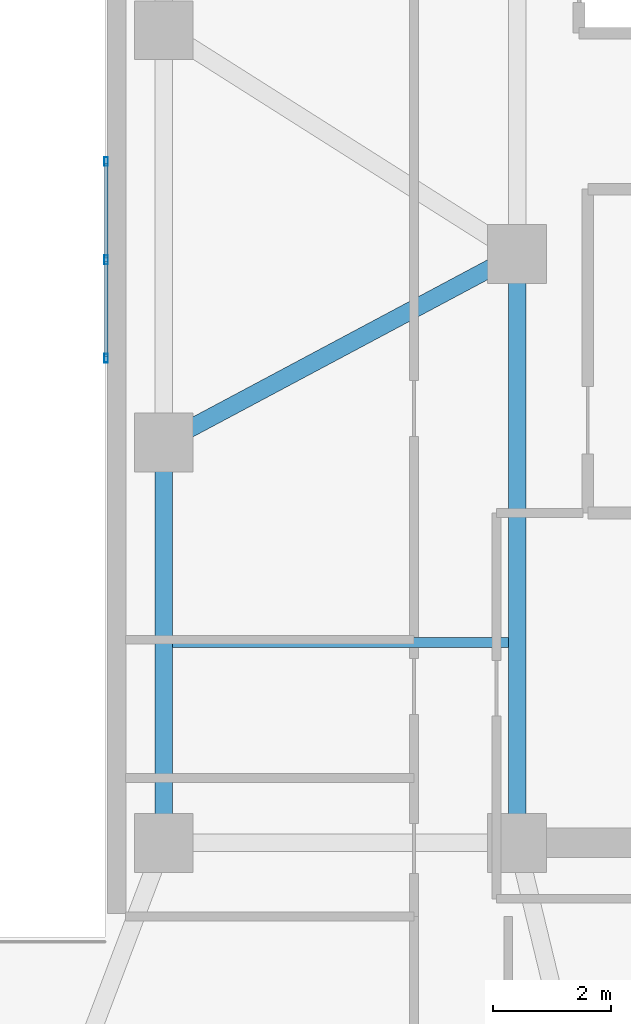
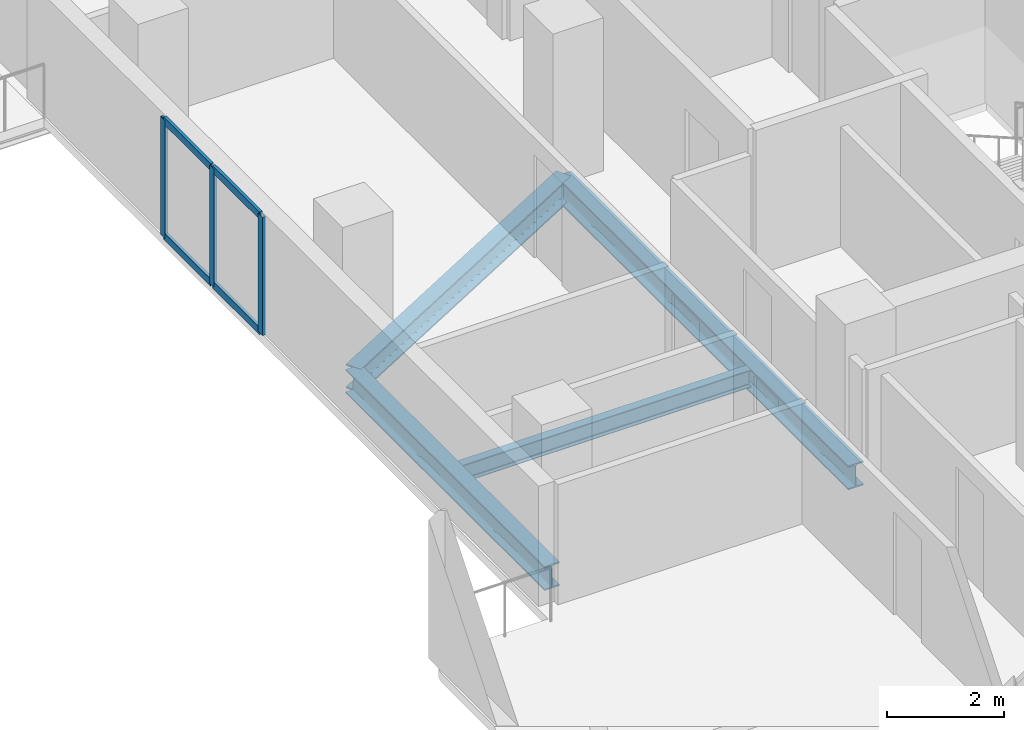
# One storey, part 8 of 17: 7 members, 4 beams, 1 element without a shape of its own.
"""IFC4 building model written with IfcOpenShell, lengths in metres."""

from ifc_helpers import new_model, si_unit, direction, frame, origin, origin_2d, place, context, subcontext, project, spatial, hollow_rectangle, i_section, extrude, material, material_profile, profile_set, type_object, element, aggregate, save


model = new_model("IFC4")

# Units and contexts
model_context = context("Model", 3, precision=1e-05, world=origin(), true_north=direction((0.0, 1.0)))
body_context = subcontext(model_context, "Body", "Model", "MODEL_VIEW")
ifc_project = project(units=[si_unit("LENGTHUNIT", "METRE"), si_unit("AREAUNIT", "SQUARE_METRE"), si_unit("VOLUMEUNIT", "CUBIC_METRE"), si_unit("PLANEANGLEUNIT", "RADIAN"), si_unit("MASSUNIT", "GRAM", prefix="KILO")], contexts=[model_context])

# Site, building, storey
site_placement = place(None, origin())
site = spatial("IfcSite", under=ifc_project, at=site_placement, CompositionType="ELEMENT")
building_placement = place(site_placement, origin())
building = spatial("IfcBuilding", under=site, at=building_placement, Name="Kuzgunbayir Cultural Tower", CompositionType="ELEMENT")
storey_placement = place(building_placement, frame((0.0, 0.0, 50.0)))
storey = spatial("IfcBuildingStorey", under=building, at=storey_placement, Name="L13", CompositionType="ELEMENT", Elevation=50.0)

# Beams
ifc_material_1 = material(Name="Steel S355J2", Category="steel")
ifc_material_profile_1 = material_profile(ifc_material_1, i_section(OverallWidth=0.300048828125, OverallDepth=0.5, WebThickness=0.014404296875, FlangeThickness=0.028076171875, FilletRadius=0.027099609375, at=origin_2d()), Name="HEB 500")
ifc_profile_set_1 = profile_set([ifc_material_profile_1], Name="Steel S355J2")
beam_type_1 = type_object("IfcBeamType", Name="BM-EXT-HEB500", PredefinedType="BEAM", material=ifc_profile_set_1)
beam_1_placement = place(storey_placement, frame((58.60009765625, 22.0, -0.429931640625), z_axis=(0.0, 1.0, 0.0), x_axis=(-1.0, 0.0, 0.0)))
element("IfcBeam", 1, at=beam_1_placement, inside=storey, type_object=beam_type_1, Name="L13 Companion West Girder", PredefinedType="BEAM", context=body_context, shape_type="SweptSolid", body=[
    extrude(i_section(OverallWidth=0.300048828125, OverallDepth=0.5, WebThickness=0.014404296875, FlangeThickness=0.028076171875, FilletRadius=0.027099609375, at=origin_2d()), origin(), (0.0, 0.0, 1.0), 6.800048828125),
])
ifc_material_profile_2 = material_profile(ifc_material_1, i_section(OverallWidth=0.300048828125, OverallDepth=0.5, WebThickness=0.014404296875, FlangeThickness=0.028076171875, FilletRadius=0.027099609375, at=origin_2d()), Name="HEB 500")
ifc_profile_set_2 = profile_set([ifc_material_profile_2], Name="Steel S355J2")
beam_type_2 = type_object("IfcBeamType", Name="BM-GIR-HEB500", PredefinedType="BEAM", material=ifc_profile_set_2)
beam_2_placement = place(storey_placement, frame((58.60009765625, 28.800048828125, -0.429931640625), z_axis=(0.882355922736, 0.470582644828, 0.0), x_axis=(-0.470582644828, 0.882355922736, 0.0)))
element("IfcBeam", 2, at=beam_2_placement, inside=storey, type_object=beam_type_2, Name="L13 Companion Transverse Girder 2", PredefinedType="BEAM", context=body_context, shape_type="SweptSolid", body=[
    extrude(i_section(OverallWidth=0.300048828125, OverallDepth=0.5, WebThickness=0.014404296875, FlangeThickness=0.028076171875, FilletRadius=0.027099609375, at=origin_2d()), origin(), (0.0, 0.0, 1.0), 6.800048828125),
])
beam_3_placement = place(storey_placement, frame((64.60009765625, 22.0, -0.429931640625), z_axis=(0.0, 1.0, 0.0), x_axis=(-1.0, 0.0, 0.0)))
element("IfcBeam", 3, at=beam_3_placement, inside=storey, type_object=beam_type_2, Name="L13 Companion Core West Girder 1", PredefinedType="BEAM", context=body_context, shape_type="SweptSolid", body=[
    extrude(i_section(OverallWidth=0.300048828125, OverallDepth=0.5, WebThickness=0.014404296875, FlangeThickness=0.028076171875, FilletRadius=0.027099609375, at=origin_2d()), origin(), (0.0, 0.0, 1.0), 10.0),
])
ifc_material_profile_3 = material_profile(ifc_material_1, i_section(OverallWidth=0.169921875, OverallDepth=0.360107421875, WebThickness=0.008056640625, FlangeThickness=0.0126953125, FilletRadius=0.01806640625, at=origin_2d()), Name="IPE 360")
ifc_profile_set_3 = profile_set([ifc_material_profile_3], Name="Steel S355J2")
beam_type_3 = type_object("IfcBeamType", Name="BM-JST-IPE360", PredefinedType="JOIST", material=ifc_profile_set_3)
beam_4_placement = place(storey_placement, frame((58.75, 25.39990234375, -0.360107421875), z_axis=(1.0, 0.0, 0.0), x_axis=(0.0, 1.0, 0.0)))
element("IfcBeam", 4, at=beam_4_placement, inside=storey, type_object=beam_type_3, Name="L13 Companion Joist", PredefinedType="JOIST", context=body_context, shape_type="SweptSolid", body=[
    extrude(i_section(OverallWidth=0.169921875, OverallDepth=0.360107421875, WebThickness=0.008056640625, FlangeThickness=0.0126953125, FilletRadius=0.01806640625, at=origin_2d()), origin(), (0.0, 0.0, 1.0), 5.699951171875),
])

# Curtain wall, members
ifc_material_2 = material(Name="Anodised Aluminium Framing", Category="aluminium")
curtain_wall_type = type_object("IfcCurtainWallType", Name="CW04-T2-CULTURAL", PredefinedType="NOTDEFINED", material=ifc_material_2)
curtain_wall_placement = place(storey_placement, origin())
curtain_wall = element("IfcCurtainWall", 5, at=curtain_wall_placement, inside=storey, type_object=curtain_wall_type, Name="L13 Companion Cultural Curtain Wall", PredefinedType="NOTDEFINED")
ifc_material_profile_4 = material_profile(ifc_material_2, hollow_rectangle(XDim=0.06005859375, YDim=0.14990234375, WallThickness=0.00390625, at=origin_2d()), Name="RHS 150x60x4")
ifc_profile_set_4 = profile_set([ifc_material_profile_4], Name="Anodised Aluminium Framing")
member_type_1 = type_object("IfcMemberType", Name="MEM-CW-MULLION-150", PredefinedType="MULLION", material=ifc_profile_set_4)
member_1_placement = place(storey_placement, frame((57.6201171875, 30.22998046875, 0.0), z_axis=(0.0, 0.0, 1.0), x_axis=(-1.0, 0.0, 0.0)))
member_1 = element("IfcMember", 6, at=member_1_placement, type_object=member_type_1, Name="CW04 mullion 1", PredefinedType="MULLION", context=body_context, shape_type="SweptSolid", body=[
    extrude(hollow_rectangle(XDim=0.06005859375, YDim=0.14990234375, WallThickness=0.00390625, at=origin_2d()), origin(), (0.0, 0.0, 1.0), 2.469970703125),
])
member_2_placement = place(storey_placement, frame((57.6201171875, 31.89990234375, 0.0), z_axis=(0.0, 0.0, 1.0), x_axis=(-1.0, 0.0, 0.0)))
member_2 = element("IfcMember", 7, at=member_2_placement, type_object=member_type_1, Name="CW04 mullion 2", PredefinedType="MULLION", context=body_context, shape_type="SweptSolid", body=[
    extrude(hollow_rectangle(XDim=0.06005859375, YDim=0.14990234375, WallThickness=0.00390625, at=origin_2d()), origin(), (0.0, 0.0, 1.0), 2.469970703125),
])
member_3_placement = place(storey_placement, frame((57.6201171875, 33.570068359375, 0.0), z_axis=(0.0, 0.0, 1.0), x_axis=(-1.0, 0.0, 0.0)))
member_3 = element("IfcMember", 8, at=member_3_placement, type_object=member_type_1, Name="CW04 mullion 3", PredefinedType="MULLION", context=body_context, shape_type="SweptSolid", body=[
    extrude(hollow_rectangle(XDim=0.06005859375, YDim=0.14990234375, WallThickness=0.00390625, at=origin_2d()), origin(), (0.0, 0.0, 1.0), 2.469970703125),
])
ifc_material_profile_5 = material_profile(ifc_material_2, hollow_rectangle(XDim=0.06005859375, YDim=0.14990234375, WallThickness=0.00390625, at=origin_2d()), Name="RHS 150x60x4")
ifc_profile_set_5 = profile_set([ifc_material_profile_5], Name="Anodised Aluminium Framing")
member_type_2 = type_object("IfcMemberType", Name="MEM-CW-TRANSOM-150", PredefinedType="USERDEFINED", material=ifc_profile_set_5)
member_4_placement = place(storey_placement, frame((57.6201171875, 30.260009765625, 0.030029296875), z_axis=(0.0, 1.0, 0.0), x_axis=(-1.0, 0.0, 0.0)))
member_4 = element("IfcMember", 9, at=member_4_placement, type_object=member_type_2, Name="CW04 transom 1.1", ObjectType="TRANSOM", PredefinedType="USERDEFINED", context=body_context, shape_type="SweptSolid", body=[
    extrude(hollow_rectangle(XDim=0.06005859375, YDim=0.14990234375, WallThickness=0.00390625, at=origin_2d()), origin(), (0.0, 0.0, 1.0), 1.610107421875),
])
member_5_placement = place(storey_placement, frame((57.6201171875, 30.260009765625, 2.43994140625), z_axis=(0.0, 1.0, 0.0), x_axis=(-1.0, 0.0, 0.0)))
member_5 = element("IfcMember", 10, at=member_5_placement, type_object=member_type_2, Name="CW04 transom 1.2", ObjectType="TRANSOM", PredefinedType="USERDEFINED", context=body_context, shape_type="SweptSolid", body=[
    extrude(hollow_rectangle(XDim=0.06005859375, YDim=0.14990234375, WallThickness=0.00390625, at=origin_2d()), origin(), (0.0, 0.0, 1.0), 1.610107421875),
])
member_6_placement = place(storey_placement, frame((57.6201171875, 31.929931640625, 0.030029296875), z_axis=(0.0, 1.0, 0.0), x_axis=(-1.0, 0.0, 0.0)))
member_6 = element("IfcMember", 11, at=member_6_placement, type_object=member_type_2, Name="CW04 transom 2.1", ObjectType="TRANSOM", PredefinedType="USERDEFINED", context=body_context, shape_type="SweptSolid", body=[
    extrude(hollow_rectangle(XDim=0.06005859375, YDim=0.14990234375, WallThickness=0.00390625, at=origin_2d()), origin(), (0.0, 0.0, 1.0), 1.610107421875),
])
member_7_placement = place(storey_placement, frame((57.6201171875, 31.929931640625, 2.43994140625), z_axis=(0.0, 1.0, 0.0), x_axis=(-1.0, 0.0, 0.0)))
member_7 = element("IfcMember", 12, at=member_7_placement, type_object=member_type_2, Name="CW04 transom 2.2", ObjectType="TRANSOM", PredefinedType="USERDEFINED", context=body_context, shape_type="SweptSolid", body=[
    extrude(hollow_rectangle(XDim=0.06005859375, YDim=0.14990234375, WallThickness=0.00390625, at=origin_2d()), origin(), (0.0, 0.0, 1.0), 1.610107421875),
])
aggregate(curtain_wall, [member_1, member_2, member_3, member_4, member_5, member_6, member_7])

save(model, "model.ifc")
